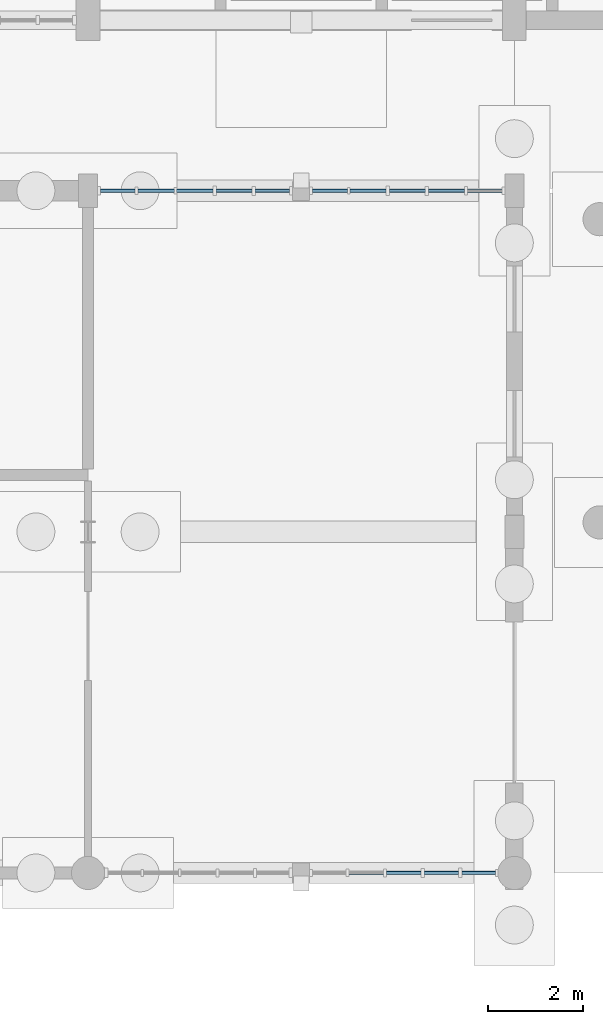
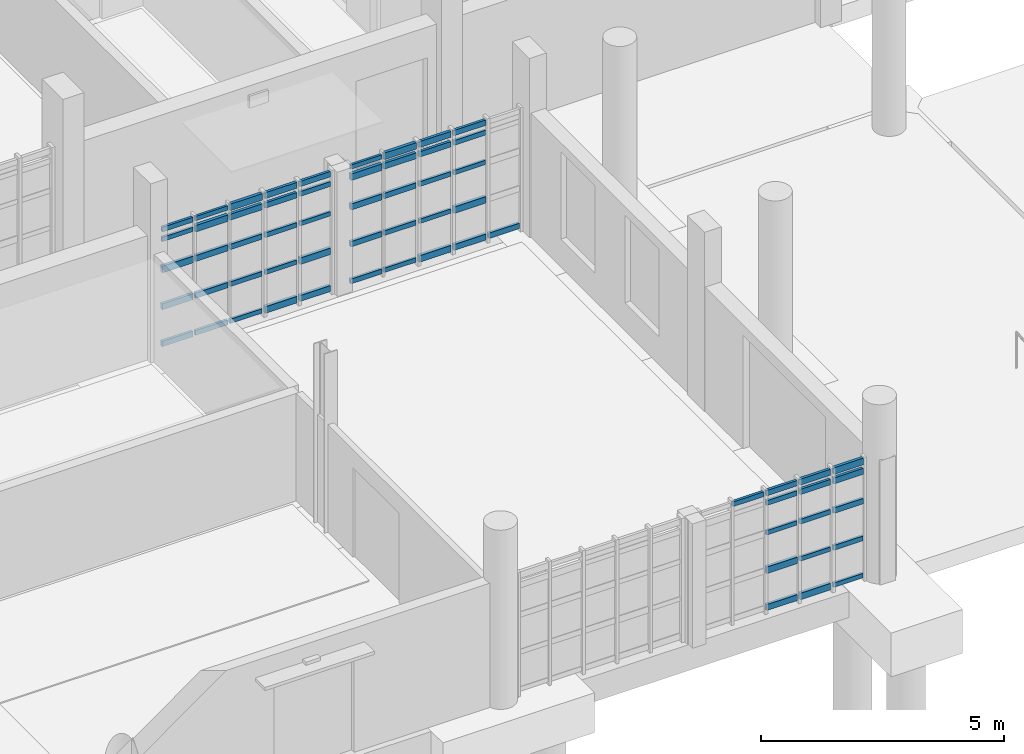
# One storey, part 27 of 63: 62 members, 3 elements without a shape of their own.
"""IFC4 building model written with IfcOpenShell, lengths in metres."""

from ifc_helpers import new_model, si_unit, direction, frame, origin, origin_2d, place, context, subcontext, project, spatial, rectangle, extrude, material, material_profile, profile_set, type_object, element, aggregate, save


model = new_model("IFC4")

# Units and contexts
model_context = context("Model", 3, precision=1e-05, world=origin(), true_north=direction((0.0, 1.0)))
body_context = subcontext(model_context, "Body", "Model", "MODEL_VIEW")
ifc_project = project(units=[si_unit("LENGTHUNIT", "METRE"), si_unit("AREAUNIT", "SQUARE_METRE"), si_unit("VOLUMEUNIT", "CUBIC_METRE"), si_unit("PLANEANGLEUNIT", "RADIAN"), si_unit("MASSUNIT", "GRAM", prefix="KILO")], contexts=[model_context])

# Site, building, storey
site_placement = place(None, origin())
site = spatial("IfcSite", under=ifc_project, at=site_placement, CompositionType="ELEMENT")
building_placement = place(site_placement, origin())
building = spatial("IfcBuilding", under=site, at=building_placement, Name="Serraforn Aerial Cableway Station", CompositionType="ELEMENT")
storey_placement = place(building_placement, origin())
storey = spatial("IfcBuildingStorey", under=building, at=storey_placement, Name="L00", CompositionType="ELEMENT", Elevation=0.0)

# Curtain wall, members
ifc_material_1 = material(Name="Anodised bronze unitised curtain wall")
curtain_wall_type_1 = type_object("IfcCurtainWallType", Name="CW-SYS-22", PredefinedType="USERDEFINED", material=ifc_material_1)
curtain_wall_1_placement = place(storey_placement, origin())
curtain_wall_1 = element("IfcCurtainWall", 1, at=curtain_wall_1_placement, inside=storey, type_object=curtain_wall_type_1, Name="Unitised Curtain Wall CW-CF-L00-S6B", ObjectType="UNITISED CURTAIN WALL", PredefinedType="USERDEFINED")
ifc_material_2 = material(Name="Anodised bronze extruded aluminium", Category="aluminium")
ifc_material_profile_1 = material_profile(ifc_material_2, rectangle(XDim=0.054931640625, YDim=0.110107421875, at=origin_2d()), Name="CW TRANSOM 55x110")
ifc_profile_set_1 = profile_set([ifc_material_profile_1], Name="Anodised bronze extruded aluminium")
member_type_1 = type_object("IfcMemberType", Name="CW-TRN-1", PredefinedType="USERDEFINED", material=ifc_profile_set_1)
member_1_placement = place(storey_placement, frame((78.8994140625, 0.0, 1.996826171875), z_axis=(1.0, 0.0, 0.0), x_axis=(0.0, 1.0, 0.0)))
member_1 = element("IfcMember", 2, at=member_1_placement, type_object=member_type_1, Name="Curtain Wall Transom CW-CF-L00-S6B-T3-3", ObjectType="TRANSOM", PredefinedType="USERDEFINED", context=body_context, shape_type="SweptSolid", body=[
    extrude(rectangle(XDim=0.054931640625, YDim=0.110107421875, at=origin_2d()), origin(), (0.0, 0.0, 1.0), 0.730712890625),
])
member_2_placement = place(storey_placement, frame((79.6962890625, 0.0, 1.060791015625), z_axis=(1.0, 0.0, 0.0), x_axis=(0.0, 1.0, 0.0)))
member_2 = element("IfcMember", 3, at=member_2_placement, type_object=member_type_1, Name="Curtain Wall Transom CW-CF-L00-S6B-T4-2", ObjectType="TRANSOM", PredefinedType="USERDEFINED", context=body_context, shape_type="SweptSolid", body=[
    extrude(rectangle(XDim=0.054931640625, YDim=0.110107421875, at=origin_2d()), origin(), (0.0, 0.0, 1.0), 0.725830078125),
])
member_3_placement = place(storey_placement, frame((80.4931640625, 0.0, 0.124755859375), z_axis=(1.0, 0.0, 0.0), x_axis=(0.0, 1.0, 0.0)))
member_3 = element("IfcMember", 4, at=member_3_placement, type_object=member_type_1, Name="Curtain Wall Transom CW-CF-L00-S6B-T5-1", ObjectType="TRANSOM", PredefinedType="USERDEFINED", context=body_context, shape_type="SweptSolid", body=[
    extrude(rectangle(XDim=0.054931640625, YDim=0.110107421875, at=origin_2d()), origin(), (0.0, 0.0, 1.0), 0.705810546875),
])

curtain_wall_type_2 = type_object("IfcCurtainWallType", Name="CW-SYS-23", PredefinedType="USERDEFINED", material=ifc_material_1)
curtain_wall_2_placement = place(storey_placement, origin())
curtain_wall_2 = element("IfcCurtainWall", 5, at=curtain_wall_2_placement, inside=storey, type_object=curtain_wall_type_2, Name="Unitised Curtain Wall CW-CF-L00-N6A", ObjectType="UNITISED CURTAIN WALL", PredefinedType="USERDEFINED")
member_4_placement = place(storey_placement, frame((80.547119140625, 14.39990234375, 1.996826171875), z_axis=(-1.0, 0.0, 0.0), x_axis=(0.0, -1.0, 0.0)))
member_4 = element("IfcMember", 6, at=member_4_placement, type_object=member_type_1, Name="Curtain Wall Transom CW-CF-L00-N6A-T2-3", ObjectType="TRANSOM", PredefinedType="USERDEFINED", context=body_context, shape_type="SweptSolid", body=[
    extrude(rectangle(XDim=0.054931640625, YDim=0.110107421875, at=origin_2d()), origin(), (0.0, 0.0, 1.0), 0.760986328125),
])
member_5_placement = place(storey_placement, frame((79.72021484375, 14.39990234375, 1.060791015625), z_axis=(-1.0, 0.0, 0.0), x_axis=(0.0, -1.0, 0.0)))
member_5 = element("IfcMember", 7, at=member_5_placement, type_object=member_type_1, Name="Curtain Wall Transom CW-CF-L00-N6A-T3-2", ObjectType="TRANSOM", PredefinedType="USERDEFINED", context=body_context, shape_type="SweptSolid", body=[
    extrude(rectangle(XDim=0.054931640625, YDim=0.110107421875, at=origin_2d()), origin(), (0.0, 0.0, 1.0), 0.755859375),
])
member_6_placement = place(storey_placement, frame((78.893310546875, 14.39990234375, 0.124755859375), z_axis=(-1.0, 0.0, 0.0), x_axis=(0.0, -1.0, 0.0)))
member_6 = element("IfcMember", 8, at=member_6_placement, type_object=member_type_1, Name="Curtain Wall Transom CW-CF-L00-N6A-T4-1", ObjectType="TRANSOM", PredefinedType="USERDEFINED", context=body_context, shape_type="SweptSolid", body=[
    extrude(rectangle(XDim=0.054931640625, YDim=0.110107421875, at=origin_2d()), origin(), (0.0, 0.0, 1.0), 0.763427734375),
])
member_7_placement = place(storey_placement, frame((78.078857421875, 14.39990234375, 2.9951171875), z_axis=(-1.0, 0.0, 0.0), x_axis=(0.0, -1.0, 0.0)))
member_7 = element("IfcMember", 9, at=member_7_placement, type_object=member_type_1, Name="Curtain Wall Transom CW-CF-L00-N6A-T5-5", ObjectType="TRANSOM", PredefinedType="USERDEFINED", context=body_context, shape_type="SweptSolid", body=[
    extrude(rectangle(XDim=0.054931640625, YDim=0.110107421875, at=origin_2d()), origin(), (0.0, 0.0, 1.0), 0.740966796875),
])

curtain_wall_type_3 = type_object("IfcCurtainWallType", Name="CW-SYS-24", PredefinedType="USERDEFINED", material=ifc_material_1)
curtain_wall_3_placement = place(storey_placement, origin())
curtain_wall_3 = element("IfcCurtainWall", 10, at=curtain_wall_3_placement, inside=storey, type_object=curtain_wall_type_3, Name="Unitised Curtain Wall CW-CF-L00-N6B", ObjectType="UNITISED CURTAIN WALL", PredefinedType="USERDEFINED")
member_8_placement = place(storey_placement, frame((76.85693359375, 14.39990234375, 1.996826171875), z_axis=(-1.0, 0.0, 0.0), x_axis=(0.0, -1.0, 0.0)))
member_8 = element("IfcMember", 11, at=member_8_placement, type_object=member_type_1, Name="Curtain Wall Transom CW-CF-L00-N6B-T1-3", ObjectType="TRANSOM", PredefinedType="USERDEFINED", context=body_context, shape_type="SweptSolid", body=[
    extrude(rectangle(XDim=0.054931640625, YDim=0.110107421875, at=origin_2d()), origin(), (0.0, 0.0, 1.0), 0.728271484375),
])
member_9_placement = place(storey_placement, frame((76.0625, 14.39990234375, 1.060791015625), z_axis=(-1.0, 0.0, 0.0), x_axis=(0.0, -1.0, 0.0)))
member_9 = element("IfcMember", 12, at=member_9_placement, type_object=member_type_1, Name="Curtain Wall Transom CW-CF-L00-N6B-T2-2", ObjectType="TRANSOM", PredefinedType="USERDEFINED", context=body_context, shape_type="SweptSolid", body=[
    extrude(rectangle(XDim=0.054931640625, YDim=0.110107421875, at=origin_2d()), origin(), (0.0, 0.0, 1.0), 0.755859375),
])
member_10_placement = place(storey_placement, frame((75.235595703125, 14.39990234375, 0.124755859375), z_axis=(-1.0, 0.0, 0.0), x_axis=(0.0, -1.0, 0.0)))
member_10 = element("IfcMember", 13, at=member_10_placement, type_object=member_type_1, Name="Curtain Wall Transom CW-CF-L00-N6B-T3-1", ObjectType="TRANSOM", PredefinedType="USERDEFINED", context=body_context, shape_type="SweptSolid", body=[
    extrude(rectangle(XDim=0.054931640625, YDim=0.110107421875, at=origin_2d()), origin(), (0.0, 0.0, 1.0), 0.76318359375),
])
member_11_placement = place(storey_placement, frame((74.42138671875, 14.39990234375, 2.9951171875), z_axis=(-1.0, 0.0, 0.0), x_axis=(0.0, -1.0, 0.0)))
member_11 = element("IfcMember", 14, at=member_11_placement, type_object=member_type_1, Name="Curtain Wall Transom CW-CF-L00-N6B-T4-5", ObjectType="TRANSOM", PredefinedType="USERDEFINED", context=body_context, shape_type="SweptSolid", body=[
    extrude(rectangle(XDim=0.054931640625, YDim=0.110107421875, at=origin_2d()), origin(), (0.0, 0.0, 1.0), 0.77099609375),
])
member_12_placement = place(storey_placement, frame((73.594482421875, 14.39990234375, 2.74560546875), z_axis=(-1.0, 0.0, 0.0), x_axis=(0.0, -1.0, 0.0)))
member_12 = element("IfcMember", 15, at=member_12_placement, type_object=member_type_1, Name="Curtain Wall Transom CW-CF-L00-N6B-T5-4", ObjectType="TRANSOM", PredefinedType="USERDEFINED", context=body_context, shape_type="SweptSolid", body=[
    extrude(rectangle(XDim=0.054931640625, YDim=0.110107421875, at=origin_2d()), origin(), (0.0, 0.0, 1.0), 0.7333984375),
])

# Member
ifc_material_profile_2 = material_profile(ifc_material_2, rectangle(XDim=0.06005859375, YDim=0.1201171875, at=origin_2d()), Name="CW TRANSOM 60x120")
ifc_profile_set_2 = profile_set([ifc_material_profile_2], Name="Anodised bronze extruded aluminium")
member_type_2 = type_object("IfcMemberType", Name="CW-TRN-2", PredefinedType="USERDEFINED", material=ifc_profile_set_2)
member_13_placement = place(storey_placement, frame((78.102294921875, 0.0, 2.9951171875), z_axis=(1.0, 0.0, 0.0), x_axis=(0.0, 1.0, 0.0)))
member_13 = element("IfcMember", 16, at=member_13_placement, type_object=member_type_2, Name="Curtain Wall Transom CW-CF-L00-S6B-T2-5", ObjectType="TRANSOM", PredefinedType="USERDEFINED", context=body_context, shape_type="SweptSolid", body=[
    extrude(rectangle(XDim=0.06005859375, YDim=0.1201171875, at=origin_2d()), origin(), (0.0, 0.0, 1.0), 0.736083984375),
])

member_14_placement = place(storey_placement, frame((78.8994140625, 0.0, 2.74560546875), z_axis=(1.0, 0.0, 0.0), x_axis=(0.0, 1.0, 0.0)))
member_14 = element("IfcMember", 17, at=member_14_placement, type_object=member_type_2, Name="Curtain Wall Transom CW-CF-L00-S6B-T3-4", ObjectType="TRANSOM", PredefinedType="USERDEFINED", context=body_context, shape_type="SweptSolid", body=[
    extrude(rectangle(XDim=0.06005859375, YDim=0.1201171875, at=origin_2d()), origin(), (0.0, 0.0, 1.0), 0.730712890625),
])

member_15_placement = place(storey_placement, frame((79.6962890625, 0.0, 1.996826171875), z_axis=(1.0, 0.0, 0.0), x_axis=(0.0, 1.0, 0.0)))
member_15 = element("IfcMember", 18, at=member_15_placement, type_object=member_type_2, Name="Curtain Wall Transom CW-CF-L00-S6B-T4-3", ObjectType="TRANSOM", PredefinedType="USERDEFINED", context=body_context, shape_type="SweptSolid", body=[
    extrude(rectangle(XDim=0.06005859375, YDim=0.1201171875, at=origin_2d()), origin(), (0.0, 0.0, 1.0), 0.725830078125),
])

member_16_placement = place(storey_placement, frame((80.4931640625, 0.0, 1.060791015625), z_axis=(1.0, 0.0, 0.0), x_axis=(0.0, 1.0, 0.0)))
member_16 = element("IfcMember", 19, at=member_16_placement, type_object=member_type_2, Name="Curtain Wall Transom CW-CF-L00-S6B-T5-2", ObjectType="TRANSOM", PredefinedType="USERDEFINED", context=body_context, shape_type="SweptSolid", body=[
    extrude(rectangle(XDim=0.06005859375, YDim=0.1201171875, at=origin_2d()), origin(), (0.0, 0.0, 1.0), 0.705810546875),
])

member_17_placement = place(storey_placement, frame((80.547119140625, 14.39990234375, 2.74560546875), z_axis=(-1.0, 0.0, 0.0), x_axis=(0.0, -1.0, 0.0)))
member_17 = element("IfcMember", 20, at=member_17_placement, type_object=member_type_2, Name="Curtain Wall Transom CW-CF-L00-N6A-T2-4", ObjectType="TRANSOM", PredefinedType="USERDEFINED", context=body_context, shape_type="SweptSolid", body=[
    extrude(rectangle(XDim=0.06005859375, YDim=0.1201171875, at=origin_2d()), origin(), (0.0, 0.0, 1.0), 0.760986328125),
])

member_18_placement = place(storey_placement, frame((79.72021484375, 14.39990234375, 1.996826171875), z_axis=(-1.0, 0.0, 0.0), x_axis=(0.0, -1.0, 0.0)))
member_18 = element("IfcMember", 21, at=member_18_placement, type_object=member_type_2, Name="Curtain Wall Transom CW-CF-L00-N6A-T3-3", ObjectType="TRANSOM", PredefinedType="USERDEFINED", context=body_context, shape_type="SweptSolid", body=[
    extrude(rectangle(XDim=0.06005859375, YDim=0.1201171875, at=origin_2d()), origin(), (0.0, 0.0, 1.0), 0.755859375),
])

member_19_placement = place(storey_placement, frame((78.893310546875, 14.39990234375, 1.060791015625), z_axis=(-1.0, 0.0, 0.0), x_axis=(0.0, -1.0, 0.0)))
member_19 = element("IfcMember", 22, at=member_19_placement, type_object=member_type_2, Name="Curtain Wall Transom CW-CF-L00-N6A-T4-2", ObjectType="TRANSOM", PredefinedType="USERDEFINED", context=body_context, shape_type="SweptSolid", body=[
    extrude(rectangle(XDim=0.06005859375, YDim=0.1201171875, at=origin_2d()), origin(), (0.0, 0.0, 1.0), 0.763427734375),
])

member_20_placement = place(storey_placement, frame((78.078857421875, 14.39990234375, 0.124755859375), z_axis=(-1.0, 0.0, 0.0), x_axis=(0.0, -1.0, 0.0)))
member_20 = element("IfcMember", 23, at=member_20_placement, type_object=member_type_2, Name="Curtain Wall Transom CW-CF-L00-N6A-T5-1", ObjectType="TRANSOM", PredefinedType="USERDEFINED", context=body_context, shape_type="SweptSolid", body=[
    extrude(rectangle(XDim=0.06005859375, YDim=0.1201171875, at=origin_2d()), origin(), (0.0, 0.0, 1.0), 0.740966796875),
])

member_21_placement = place(storey_placement, frame((76.85693359375, 14.39990234375, 2.74560546875), z_axis=(-1.0, 0.0, 0.0), x_axis=(0.0, -1.0, 0.0)))
member_21 = element("IfcMember", 24, at=member_21_placement, type_object=member_type_2, Name="Curtain Wall Transom CW-CF-L00-N6B-T1-4", ObjectType="TRANSOM", PredefinedType="USERDEFINED", context=body_context, shape_type="SweptSolid", body=[
    extrude(rectangle(XDim=0.06005859375, YDim=0.1201171875, at=origin_2d()), origin(), (0.0, 0.0, 1.0), 0.728271484375),
])

member_22_placement = place(storey_placement, frame((76.0625, 14.39990234375, 1.996826171875), z_axis=(-1.0, 0.0, 0.0), x_axis=(0.0, -1.0, 0.0)))
member_22 = element("IfcMember", 25, at=member_22_placement, type_object=member_type_2, Name="Curtain Wall Transom CW-CF-L00-N6B-T2-3", ObjectType="TRANSOM", PredefinedType="USERDEFINED", context=body_context, shape_type="SweptSolid", body=[
    extrude(rectangle(XDim=0.06005859375, YDim=0.1201171875, at=origin_2d()), origin(), (0.0, 0.0, 1.0), 0.755859375),
])

member_23_placement = place(storey_placement, frame((75.235595703125, 14.39990234375, 1.060791015625), z_axis=(-1.0, 0.0, 0.0), x_axis=(0.0, -1.0, 0.0)))
member_23 = element("IfcMember", 26, at=member_23_placement, type_object=member_type_2, Name="Curtain Wall Transom CW-CF-L00-N6B-T3-2", ObjectType="TRANSOM", PredefinedType="USERDEFINED", context=body_context, shape_type="SweptSolid", body=[
    extrude(rectangle(XDim=0.06005859375, YDim=0.1201171875, at=origin_2d()), origin(), (0.0, 0.0, 1.0), 0.76318359375),
])

member_24_placement = place(storey_placement, frame((74.42138671875, 14.39990234375, 0.124755859375), z_axis=(-1.0, 0.0, 0.0), x_axis=(0.0, -1.0, 0.0)))
member_24 = element("IfcMember", 27, at=member_24_placement, type_object=member_type_2, Name="Curtain Wall Transom CW-CF-L00-N6B-T4-1", ObjectType="TRANSOM", PredefinedType="USERDEFINED", context=body_context, shape_type="SweptSolid", body=[
    extrude(rectangle(XDim=0.06005859375, YDim=0.1201171875, at=origin_2d()), origin(), (0.0, 0.0, 1.0), 0.77099609375),
])

member_25_placement = place(storey_placement, frame((73.594482421875, 14.39990234375, 2.9951171875), z_axis=(-1.0, 0.0, 0.0), x_axis=(0.0, -1.0, 0.0)))
member_25 = element("IfcMember", 28, at=member_25_placement, type_object=member_type_2, Name="Curtain Wall Transom CW-CF-L00-N6B-T5-5", ObjectType="TRANSOM", PredefinedType="USERDEFINED", context=body_context, shape_type="SweptSolid", body=[
    extrude(rectangle(XDim=0.06005859375, YDim=0.1201171875, at=origin_2d()), origin(), (0.0, 0.0, 1.0), 0.7333984375),
])

ifc_material_profile_3 = material_profile(ifc_material_2, rectangle(XDim=0.06494140625, YDim=0.135009765625, at=origin_2d()), Name="CW TRANSOM 65x135")
ifc_profile_set_3 = profile_set([ifc_material_profile_3], Name="Anodised bronze extruded aluminium")
member_type_3 = type_object("IfcMemberType", Name="CW-TRN-3", PredefinedType="USERDEFINED", material=ifc_profile_set_3)
member_26_placement = place(storey_placement, frame((78.8994140625, 0.0, 2.9951171875), z_axis=(1.0, 0.0, 0.0), x_axis=(0.0, 1.0, 0.0)))
member_26 = element("IfcMember", 29, at=member_26_placement, type_object=member_type_3, Name="Curtain Wall Transom CW-CF-L00-S6B-T3-5", ObjectType="TRANSOM", PredefinedType="USERDEFINED", context=body_context, shape_type="SweptSolid", body=[
    extrude(rectangle(XDim=0.06494140625, YDim=0.135009765625, at=origin_2d()), origin(), (0.0, 0.0, 1.0), 0.730712890625),
])

member_27_placement = place(storey_placement, frame((79.6962890625, 0.0, 2.74560546875), z_axis=(1.0, 0.0, 0.0), x_axis=(0.0, 1.0, 0.0)))
member_27 = element("IfcMember", 30, at=member_27_placement, type_object=member_type_3, Name="Curtain Wall Transom CW-CF-L00-S6B-T4-4", ObjectType="TRANSOM", PredefinedType="USERDEFINED", context=body_context, shape_type="SweptSolid", body=[
    extrude(rectangle(XDim=0.06494140625, YDim=0.135009765625, at=origin_2d()), origin(), (0.0, 0.0, 1.0), 0.725830078125),
])

member_28_placement = place(storey_placement, frame((80.4931640625, 0.0, 1.996826171875), z_axis=(1.0, 0.0, 0.0), x_axis=(0.0, 1.0, 0.0)))
member_28 = element("IfcMember", 31, at=member_28_placement, type_object=member_type_3, Name="Curtain Wall Transom CW-CF-L00-S6B-T5-3", ObjectType="TRANSOM", PredefinedType="USERDEFINED", context=body_context, shape_type="SweptSolid", body=[
    extrude(rectangle(XDim=0.06494140625, YDim=0.135009765625, at=origin_2d()), origin(), (0.0, 0.0, 1.0), 0.705810546875),
])

member_29_placement = place(storey_placement, frame((81.343994140625, 14.39990234375, 0.124755859375), z_axis=(-1.0, 0.0, 0.0), x_axis=(0.0, -1.0, 0.0)))
member_29 = element("IfcMember", 32, at=member_29_placement, type_object=member_type_3, Name="Curtain Wall Transom CW-CF-L00-N6A-T1-1", ObjectType="TRANSOM", PredefinedType="USERDEFINED", context=body_context, shape_type="SweptSolid", body=[
    extrude(rectangle(XDim=0.06494140625, YDim=0.135009765625, at=origin_2d()), origin(), (0.0, 0.0, 1.0), 0.73583984375),
])

member_30_placement = place(storey_placement, frame((80.547119140625, 14.39990234375, 2.9951171875), z_axis=(-1.0, 0.0, 0.0), x_axis=(0.0, -1.0, 0.0)))
member_30 = element("IfcMember", 33, at=member_30_placement, type_object=member_type_3, Name="Curtain Wall Transom CW-CF-L00-N6A-T2-5", ObjectType="TRANSOM", PredefinedType="USERDEFINED", context=body_context, shape_type="SweptSolid", body=[
    extrude(rectangle(XDim=0.06494140625, YDim=0.135009765625, at=origin_2d()), origin(), (0.0, 0.0, 1.0), 0.760986328125),
])

member_31_placement = place(storey_placement, frame((79.72021484375, 14.39990234375, 2.74560546875), z_axis=(-1.0, 0.0, 0.0), x_axis=(0.0, -1.0, 0.0)))
member_31 = element("IfcMember", 34, at=member_31_placement, type_object=member_type_3, Name="Curtain Wall Transom CW-CF-L00-N6A-T3-4", ObjectType="TRANSOM", PredefinedType="USERDEFINED", context=body_context, shape_type="SweptSolid", body=[
    extrude(rectangle(XDim=0.06494140625, YDim=0.135009765625, at=origin_2d()), origin(), (0.0, 0.0, 1.0), 0.755859375),
])

member_32_placement = place(storey_placement, frame((78.893310546875, 14.39990234375, 1.996826171875), z_axis=(-1.0, 0.0, 0.0), x_axis=(0.0, -1.0, 0.0)))
member_32 = element("IfcMember", 35, at=member_32_placement, type_object=member_type_3, Name="Curtain Wall Transom CW-CF-L00-N6A-T4-3", ObjectType="TRANSOM", PredefinedType="USERDEFINED", context=body_context, shape_type="SweptSolid", body=[
    extrude(rectangle(XDim=0.06494140625, YDim=0.135009765625, at=origin_2d()), origin(), (0.0, 0.0, 1.0), 0.763427734375),
])

member_33_placement = place(storey_placement, frame((78.078857421875, 14.39990234375, 1.060791015625), z_axis=(-1.0, 0.0, 0.0), x_axis=(0.0, -1.0, 0.0)))
member_33 = element("IfcMember", 36, at=member_33_placement, type_object=member_type_3, Name="Curtain Wall Transom CW-CF-L00-N6A-T5-2", ObjectType="TRANSOM", PredefinedType="USERDEFINED", context=body_context, shape_type="SweptSolid", body=[
    extrude(rectangle(XDim=0.06494140625, YDim=0.135009765625, at=origin_2d()), origin(), (0.0, 0.0, 1.0), 0.740966796875),
])

member_34_placement = place(storey_placement, frame((76.85693359375, 14.39990234375, 2.9951171875), z_axis=(-1.0, 0.0, 0.0), x_axis=(0.0, -1.0, 0.0)))
member_34 = element("IfcMember", 37, at=member_34_placement, type_object=member_type_3, Name="Curtain Wall Transom CW-CF-L00-N6B-T1-5", ObjectType="TRANSOM", PredefinedType="USERDEFINED", context=body_context, shape_type="SweptSolid", body=[
    extrude(rectangle(XDim=0.06494140625, YDim=0.135009765625, at=origin_2d()), origin(), (0.0, 0.0, 1.0), 0.728271484375),
])

member_35_placement = place(storey_placement, frame((76.0625, 14.39990234375, 2.74560546875), z_axis=(-1.0, 0.0, 0.0), x_axis=(0.0, -1.0, 0.0)))
member_35 = element("IfcMember", 38, at=member_35_placement, type_object=member_type_3, Name="Curtain Wall Transom CW-CF-L00-N6B-T2-4", ObjectType="TRANSOM", PredefinedType="USERDEFINED", context=body_context, shape_type="SweptSolid", body=[
    extrude(rectangle(XDim=0.06494140625, YDim=0.135009765625, at=origin_2d()), origin(), (0.0, 0.0, 1.0), 0.755859375),
])

member_36_placement = place(storey_placement, frame((75.235595703125, 14.39990234375, 1.996826171875), z_axis=(-1.0, 0.0, 0.0), x_axis=(0.0, -1.0, 0.0)))
member_36 = element("IfcMember", 39, at=member_36_placement, type_object=member_type_3, Name="Curtain Wall Transom CW-CF-L00-N6B-T3-3", ObjectType="TRANSOM", PredefinedType="USERDEFINED", context=body_context, shape_type="SweptSolid", body=[
    extrude(rectangle(XDim=0.06494140625, YDim=0.135009765625, at=origin_2d()), origin(), (0.0, 0.0, 1.0), 0.76318359375),
])

member_37_placement = place(storey_placement, frame((74.42138671875, 14.39990234375, 1.060791015625), z_axis=(-1.0, 0.0, 0.0), x_axis=(0.0, -1.0, 0.0)))
member_37 = element("IfcMember", 40, at=member_37_placement, type_object=member_type_3, Name="Curtain Wall Transom CW-CF-L00-N6B-T4-2", ObjectType="TRANSOM", PredefinedType="USERDEFINED", context=body_context, shape_type="SweptSolid", body=[
    extrude(rectangle(XDim=0.06494140625, YDim=0.135009765625, at=origin_2d()), origin(), (0.0, 0.0, 1.0), 0.77099609375),
])

member_38_placement = place(storey_placement, frame((73.594482421875, 14.39990234375, 0.124755859375), z_axis=(-1.0, 0.0, 0.0), x_axis=(0.0, -1.0, 0.0)))
member_38 = element("IfcMember", 41, at=member_38_placement, type_object=member_type_3, Name="Curtain Wall Transom CW-CF-L00-N6B-T5-1", ObjectType="TRANSOM", PredefinedType="USERDEFINED", context=body_context, shape_type="SweptSolid", body=[
    extrude(rectangle(XDim=0.06494140625, YDim=0.135009765625, at=origin_2d()), origin(), (0.0, 0.0, 1.0), 0.7333984375),
])

ifc_material_profile_4 = material_profile(ifc_material_2, rectangle(XDim=0.070068359375, YDim=0.14990234375, at=origin_2d()), Name="CW TRANSOM 70x150")
ifc_profile_set_4 = profile_set([ifc_material_profile_4], Name="Anodised bronze extruded aluminium")
member_type_4 = type_object("IfcMemberType", Name="CW-TRN-4", PredefinedType="USERDEFINED", material=ifc_profile_set_4)
member_39_placement = place(storey_placement, frame((78.8994140625, 0.0, 0.124755859375), z_axis=(1.0, 0.0, 0.0), x_axis=(0.0, 1.0, 0.0)))
member_39 = element("IfcMember", 42, at=member_39_placement, type_object=member_type_4, Name="Curtain Wall Transom CW-CF-L00-S6B-T3-1", ObjectType="TRANSOM", PredefinedType="USERDEFINED", context=body_context, shape_type="SweptSolid", body=[
    extrude(rectangle(XDim=0.070068359375, YDim=0.14990234375, at=origin_2d()), origin(), (0.0, 0.0, 1.0), 0.730712890625),
])

member_40_placement = place(storey_placement, frame((79.6962890625, 0.0, 2.9951171875), z_axis=(1.0, 0.0, 0.0), x_axis=(0.0, 1.0, 0.0)))
member_40 = element("IfcMember", 43, at=member_40_placement, type_object=member_type_4, Name="Curtain Wall Transom CW-CF-L00-S6B-T4-5", ObjectType="TRANSOM", PredefinedType="USERDEFINED", context=body_context, shape_type="SweptSolid", body=[
    extrude(rectangle(XDim=0.070068359375, YDim=0.14990234375, at=origin_2d()), origin(), (0.0, 0.0, 1.0), 0.725830078125),
])

member_41_placement = place(storey_placement, frame((80.4931640625, 0.0, 2.74560546875), z_axis=(1.0, 0.0, 0.0), x_axis=(0.0, 1.0, 0.0)))
member_41 = element("IfcMember", 44, at=member_41_placement, type_object=member_type_4, Name="Curtain Wall Transom CW-CF-L00-S6B-T5-4", ObjectType="TRANSOM", PredefinedType="USERDEFINED", context=body_context, shape_type="SweptSolid", body=[
    extrude(rectangle(XDim=0.070068359375, YDim=0.14990234375, at=origin_2d()), origin(), (0.0, 0.0, 1.0), 0.705810546875),
])

member_42_placement = place(storey_placement, frame((80.547119140625, 14.39990234375, 0.124755859375), z_axis=(-1.0, 0.0, 0.0), x_axis=(0.0, -1.0, 0.0)))
member_42 = element("IfcMember", 45, at=member_42_placement, type_object=member_type_4, Name="Curtain Wall Transom CW-CF-L00-N6A-T2-1", ObjectType="TRANSOM", PredefinedType="USERDEFINED", context=body_context, shape_type="SweptSolid", body=[
    extrude(rectangle(XDim=0.070068359375, YDim=0.14990234375, at=origin_2d()), origin(), (0.0, 0.0, 1.0), 0.760986328125),
])

member_43_placement = place(storey_placement, frame((79.72021484375, 14.39990234375, 2.9951171875), z_axis=(-1.0, 0.0, 0.0), x_axis=(0.0, -1.0, 0.0)))
member_43 = element("IfcMember", 46, at=member_43_placement, type_object=member_type_4, Name="Curtain Wall Transom CW-CF-L00-N6A-T3-5", ObjectType="TRANSOM", PredefinedType="USERDEFINED", context=body_context, shape_type="SweptSolid", body=[
    extrude(rectangle(XDim=0.070068359375, YDim=0.14990234375, at=origin_2d()), origin(), (0.0, 0.0, 1.0), 0.755859375),
])

member_44_placement = place(storey_placement, frame((78.893310546875, 14.39990234375, 2.74560546875), z_axis=(-1.0, 0.0, 0.0), x_axis=(0.0, -1.0, 0.0)))
member_44 = element("IfcMember", 47, at=member_44_placement, type_object=member_type_4, Name="Curtain Wall Transom CW-CF-L00-N6A-T4-4", ObjectType="TRANSOM", PredefinedType="USERDEFINED", context=body_context, shape_type="SweptSolid", body=[
    extrude(rectangle(XDim=0.070068359375, YDim=0.14990234375, at=origin_2d()), origin(), (0.0, 0.0, 1.0), 0.763427734375),
])

member_45_placement = place(storey_placement, frame((78.078857421875, 14.39990234375, 1.996826171875), z_axis=(-1.0, 0.0, 0.0), x_axis=(0.0, -1.0, 0.0)))
member_45 = element("IfcMember", 48, at=member_45_placement, type_object=member_type_4, Name="Curtain Wall Transom CW-CF-L00-N6A-T5-3", ObjectType="TRANSOM", PredefinedType="USERDEFINED", context=body_context, shape_type="SweptSolid", body=[
    extrude(rectangle(XDim=0.070068359375, YDim=0.14990234375, at=origin_2d()), origin(), (0.0, 0.0, 1.0), 0.740966796875),
])

member_46_placement = place(storey_placement, frame((76.85693359375, 14.39990234375, 0.124755859375), z_axis=(-1.0, 0.0, 0.0), x_axis=(0.0, -1.0, 0.0)))
member_46 = element("IfcMember", 49, at=member_46_placement, type_object=member_type_4, Name="Curtain Wall Transom CW-CF-L00-N6B-T1-1", ObjectType="TRANSOM", PredefinedType="USERDEFINED", context=body_context, shape_type="SweptSolid", body=[
    extrude(rectangle(XDim=0.070068359375, YDim=0.14990234375, at=origin_2d()), origin(), (0.0, 0.0, 1.0), 0.728271484375),
])

member_47_placement = place(storey_placement, frame((76.0625, 14.39990234375, 2.9951171875), z_axis=(-1.0, 0.0, 0.0), x_axis=(0.0, -1.0, 0.0)))
member_47 = element("IfcMember", 50, at=member_47_placement, type_object=member_type_4, Name="Curtain Wall Transom CW-CF-L00-N6B-T2-5", ObjectType="TRANSOM", PredefinedType="USERDEFINED", context=body_context, shape_type="SweptSolid", body=[
    extrude(rectangle(XDim=0.070068359375, YDim=0.14990234375, at=origin_2d()), origin(), (0.0, 0.0, 1.0), 0.755859375),
])

member_48_placement = place(storey_placement, frame((75.235595703125, 14.39990234375, 2.74560546875), z_axis=(-1.0, 0.0, 0.0), x_axis=(0.0, -1.0, 0.0)))
member_48 = element("IfcMember", 51, at=member_48_placement, type_object=member_type_4, Name="Curtain Wall Transom CW-CF-L00-N6B-T3-4", ObjectType="TRANSOM", PredefinedType="USERDEFINED", context=body_context, shape_type="SweptSolid", body=[
    extrude(rectangle(XDim=0.070068359375, YDim=0.14990234375, at=origin_2d()), origin(), (0.0, 0.0, 1.0), 0.76318359375),
])

member_49_placement = place(storey_placement, frame((74.42138671875, 14.39990234375, 1.996826171875), z_axis=(-1.0, 0.0, 0.0), x_axis=(0.0, -1.0, 0.0)))
member_49 = element("IfcMember", 52, at=member_49_placement, type_object=member_type_4, Name="Curtain Wall Transom CW-CF-L00-N6B-T4-3", ObjectType="TRANSOM", PredefinedType="USERDEFINED", context=body_context, shape_type="SweptSolid", body=[
    extrude(rectangle(XDim=0.070068359375, YDim=0.14990234375, at=origin_2d()), origin(), (0.0, 0.0, 1.0), 0.77099609375),
])

member_50_placement = place(storey_placement, frame((73.594482421875, 14.39990234375, 1.060791015625), z_axis=(-1.0, 0.0, 0.0), x_axis=(0.0, -1.0, 0.0)))
member_50 = element("IfcMember", 53, at=member_50_placement, type_object=member_type_4, Name="Curtain Wall Transom CW-CF-L00-N6B-T5-2", ObjectType="TRANSOM", PredefinedType="USERDEFINED", context=body_context, shape_type="SweptSolid", body=[
    extrude(rectangle(XDim=0.070068359375, YDim=0.14990234375, at=origin_2d()), origin(), (0.0, 0.0, 1.0), 0.7333984375),
])

ifc_material_profile_5 = material_profile(ifc_material_2, rectangle(XDim=0.074951171875, YDim=0.1650390625, at=origin_2d()), Name="CW TRANSOM 75x165")
ifc_profile_set_5 = profile_set([ifc_material_profile_5], Name="Anodised bronze extruded aluminium")
member_type_5 = type_object("IfcMemberType", Name="CW-TRN-5", PredefinedType="USERDEFINED", material=ifc_profile_set_5)
member_51_placement = place(storey_placement, frame((78.8994140625, 0.0, 1.060791015625), z_axis=(1.0, 0.0, 0.0), x_axis=(0.0, 1.0, 0.0)))
member_51 = element("IfcMember", 54, at=member_51_placement, type_object=member_type_5, Name="Curtain Wall Transom CW-CF-L00-S6B-T3-2", ObjectType="TRANSOM", PredefinedType="USERDEFINED", context=body_context, shape_type="SweptSolid", body=[
    extrude(rectangle(XDim=0.074951171875, YDim=0.1650390625, at=origin_2d()), origin(), (0.0, 0.0, 1.0), 0.730712890625),
])

member_52_placement = place(storey_placement, frame((79.6962890625, 0.0, 0.124755859375), z_axis=(1.0, 0.0, 0.0), x_axis=(0.0, 1.0, 0.0)))
member_52 = element("IfcMember", 55, at=member_52_placement, type_object=member_type_5, Name="Curtain Wall Transom CW-CF-L00-S6B-T4-1", ObjectType="TRANSOM", PredefinedType="USERDEFINED", context=body_context, shape_type="SweptSolid", body=[
    extrude(rectangle(XDim=0.074951171875, YDim=0.1650390625, at=origin_2d()), origin(), (0.0, 0.0, 1.0), 0.725830078125),
])

member_53_placement = place(storey_placement, frame((80.4931640625, 0.0, 2.9951171875), z_axis=(1.0, 0.0, 0.0), x_axis=(0.0, 1.0, 0.0)))
member_53 = element("IfcMember", 56, at=member_53_placement, type_object=member_type_5, Name="Curtain Wall Transom CW-CF-L00-S6B-T5-5", ObjectType="TRANSOM", PredefinedType="USERDEFINED", context=body_context, shape_type="SweptSolid", body=[
    extrude(rectangle(XDim=0.074951171875, YDim=0.1650390625, at=origin_2d()), origin(), (0.0, 0.0, 1.0), 0.705810546875),
])

aggregate(curtain_wall_1, [member_13, member_39, member_51, member_1, member_14, member_26, member_52, member_2, member_15, member_27, member_40, member_3, member_16, member_28, member_41, member_53])

member_54_placement = place(storey_placement, frame((80.547119140625, 14.39990234375, 1.060791015625), z_axis=(-1.0, 0.0, 0.0), x_axis=(0.0, -1.0, 0.0)))
member_54 = element("IfcMember", 57, at=member_54_placement, type_object=member_type_5, Name="Curtain Wall Transom CW-CF-L00-N6A-T2-2", ObjectType="TRANSOM", PredefinedType="USERDEFINED", context=body_context, shape_type="SweptSolid", body=[
    extrude(rectangle(XDim=0.074951171875, YDim=0.1650390625, at=origin_2d()), origin(), (0.0, 0.0, 1.0), 0.760986328125),
])

member_55_placement = place(storey_placement, frame((79.72021484375, 14.39990234375, 0.124755859375), z_axis=(-1.0, 0.0, 0.0), x_axis=(0.0, -1.0, 0.0)))
member_55 = element("IfcMember", 58, at=member_55_placement, type_object=member_type_5, Name="Curtain Wall Transom CW-CF-L00-N6A-T3-1", ObjectType="TRANSOM", PredefinedType="USERDEFINED", context=body_context, shape_type="SweptSolid", body=[
    extrude(rectangle(XDim=0.074951171875, YDim=0.1650390625, at=origin_2d()), origin(), (0.0, 0.0, 1.0), 0.755859375),
])

member_56_placement = place(storey_placement, frame((78.893310546875, 14.39990234375, 2.9951171875), z_axis=(-1.0, 0.0, 0.0), x_axis=(0.0, -1.0, 0.0)))
member_56 = element("IfcMember", 59, at=member_56_placement, type_object=member_type_5, Name="Curtain Wall Transom CW-CF-L00-N6A-T4-5", ObjectType="TRANSOM", PredefinedType="USERDEFINED", context=body_context, shape_type="SweptSolid", body=[
    extrude(rectangle(XDim=0.074951171875, YDim=0.1650390625, at=origin_2d()), origin(), (0.0, 0.0, 1.0), 0.763427734375),
])

member_57_placement = place(storey_placement, frame((78.078857421875, 14.39990234375, 2.74560546875), z_axis=(-1.0, 0.0, 0.0), x_axis=(0.0, -1.0, 0.0)))
member_57 = element("IfcMember", 60, at=member_57_placement, type_object=member_type_5, Name="Curtain Wall Transom CW-CF-L00-N6A-T5-4", ObjectType="TRANSOM", PredefinedType="USERDEFINED", context=body_context, shape_type="SweptSolid", body=[
    extrude(rectangle(XDim=0.074951171875, YDim=0.1650390625, at=origin_2d()), origin(), (0.0, 0.0, 1.0), 0.740966796875),
])

aggregate(curtain_wall_2, [member_29, member_42, member_54, member_4, member_17, member_30, member_55, member_5, member_18, member_31, member_43, member_6, member_19, member_32, member_44, member_56, member_20, member_33, member_45, member_57, member_7])

member_58_placement = place(storey_placement, frame((76.85693359375, 14.39990234375, 1.060791015625), z_axis=(-1.0, 0.0, 0.0), x_axis=(0.0, -1.0, 0.0)))
member_58 = element("IfcMember", 61, at=member_58_placement, type_object=member_type_5, Name="Curtain Wall Transom CW-CF-L00-N6B-T1-2", ObjectType="TRANSOM", PredefinedType="USERDEFINED", context=body_context, shape_type="SweptSolid", body=[
    extrude(rectangle(XDim=0.074951171875, YDim=0.1650390625, at=origin_2d()), origin(), (0.0, 0.0, 1.0), 0.728271484375),
])

member_59_placement = place(storey_placement, frame((76.0625, 14.39990234375, 0.124755859375), z_axis=(-1.0, 0.0, 0.0), x_axis=(0.0, -1.0, 0.0)))
member_59 = element("IfcMember", 62, at=member_59_placement, type_object=member_type_5, Name="Curtain Wall Transom CW-CF-L00-N6B-T2-1", ObjectType="TRANSOM", PredefinedType="USERDEFINED", context=body_context, shape_type="SweptSolid", body=[
    extrude(rectangle(XDim=0.074951171875, YDim=0.1650390625, at=origin_2d()), origin(), (0.0, 0.0, 1.0), 0.755859375),
])

member_60_placement = place(storey_placement, frame((75.235595703125, 14.39990234375, 2.9951171875), z_axis=(-1.0, 0.0, 0.0), x_axis=(0.0, -1.0, 0.0)))
member_60 = element("IfcMember", 63, at=member_60_placement, type_object=member_type_5, Name="Curtain Wall Transom CW-CF-L00-N6B-T3-5", ObjectType="TRANSOM", PredefinedType="USERDEFINED", context=body_context, shape_type="SweptSolid", body=[
    extrude(rectangle(XDim=0.074951171875, YDim=0.1650390625, at=origin_2d()), origin(), (0.0, 0.0, 1.0), 0.76318359375),
])

member_61_placement = place(storey_placement, frame((74.42138671875, 14.39990234375, 2.74560546875), z_axis=(-1.0, 0.0, 0.0), x_axis=(0.0, -1.0, 0.0)))
member_61 = element("IfcMember", 64, at=member_61_placement, type_object=member_type_5, Name="Curtain Wall Transom CW-CF-L00-N6B-T4-4", ObjectType="TRANSOM", PredefinedType="USERDEFINED", context=body_context, shape_type="SweptSolid", body=[
    extrude(rectangle(XDim=0.074951171875, YDim=0.1650390625, at=origin_2d()), origin(), (0.0, 0.0, 1.0), 0.77099609375),
])

member_62_placement = place(storey_placement, frame((73.594482421875, 14.39990234375, 1.996826171875), z_axis=(-1.0, 0.0, 0.0), x_axis=(0.0, -1.0, 0.0)))
member_62 = element("IfcMember", 65, at=member_62_placement, type_object=member_type_5, Name="Curtain Wall Transom CW-CF-L00-N6B-T5-3", ObjectType="TRANSOM", PredefinedType="USERDEFINED", context=body_context, shape_type="SweptSolid", body=[
    extrude(rectangle(XDim=0.074951171875, YDim=0.1650390625, at=origin_2d()), origin(), (0.0, 0.0, 1.0), 0.7333984375),
])

aggregate(curtain_wall_3, [member_46, member_58, member_8, member_21, member_34, member_59, member_9, member_22, member_35, member_47, member_10, member_23, member_36, member_48, member_60, member_24, member_37, member_49, member_61, member_11, member_38, member_50, member_62, member_12, member_25])

save(model, "model.ifc")
